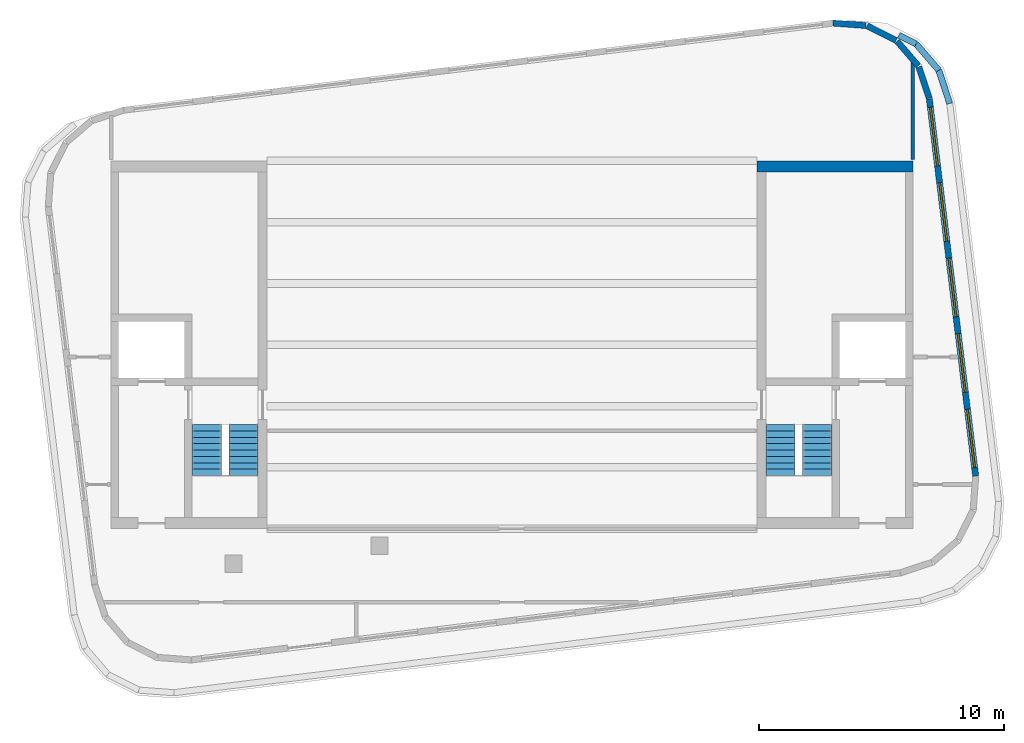
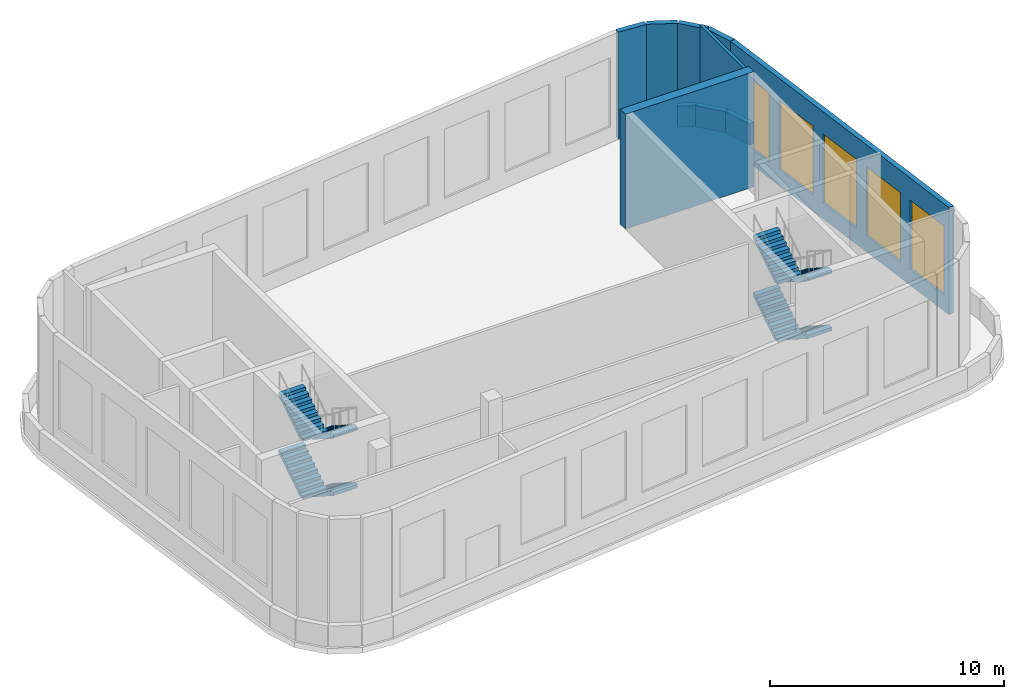
# One storey, part 4 of 5: 10 walls, 8 stair flights, 5 windows, 5 openings, 2 elements without a shape of their own.
"""IFC4 building model written with IfcOpenShell, lengths in metres."""

from ifc_helpers import new_model, si_unit, direction, frame, frame_2d, origin, place, context, subcontext, project, spatial, polyline, rectangle, outline, extrude, material, layer, layer_set, type_object, element, fill, aggregate, save


model = new_model("IFC4")

# Units and contexts
model_context = context("Model", 3, precision=1e-05, world=origin(), true_north=direction((0.0, 1.0)))
body_context = subcontext(model_context, "Body", "Model", "MODEL_VIEW")
ifc_project = project(units=[si_unit("LENGTHUNIT", "METRE"), si_unit("AREAUNIT", "SQUARE_METRE"), si_unit("VOLUMEUNIT", "CUBIC_METRE"), si_unit("PLANEANGLEUNIT", "RADIAN"), si_unit("MASSUNIT", "GRAM", prefix="KILO")], contexts=[model_context])

# Site, building, storey
site_placement = place(None, origin())
site = spatial("IfcSite", under=ifc_project, at=site_placement, CompositionType="ELEMENT")
building_placement = place(site_placement, origin())
building = spatial("IfcBuilding", under=site, at=building_placement, Name="Torana Hotel and Residences", CompositionType="ELEMENT")
storey_placement = place(building_placement, frame((0.0, 0.0, 357.39990234375)))
storey = spatial("IfcBuildingStorey", under=building, at=storey_placement, Name="C4", CompositionType="ELEMENT", Elevation=357.39990234375)

# Walls
ifc_material_1 = material(Name="Concrete C50/60", Category="concrete")
ifc_layer_1 = layer(ifc_material_1, 0.449951171875)
ifc_layer_set_1 = layer_set([ifc_layer_1], Name="CORE WALL 450 C50/60")
wall_type_1 = type_object("IfcWallType", Name="CORE WALL 450 C50/60", PredefinedType="SHEAR", material=ifc_layer_set_1)
wall_1_placement = place(storey_placement, frame((10.0, -0.22509765625, 0.0), z_axis=(0.0, 0.0, 1.0), x_axis=(1.0, 0.0, 0.0)))
element("IfcWall", 1, at=wall_1_placement, inside=storey, type_object=wall_type_1, Name="Core wall E rear", PredefinedType="SHEAR", context=body_context, shape_type="SweptSolid", body=[
    extrude(rectangle(XDim=6.35009765625, YDim=0.449951171875, at=frame_2d((3.175048828125, 0.0))), origin(), (0.0, 0.0, 1.0), 6.0),
])
ifc_material_2 = material(Name="Aluminium louvre wall", Category="aluminium")
ifc_layer_2 = layer(ifc_material_2, 0.25)
ifc_layer_set_2 = layer_set([ifc_layer_2], Name="EW3 LOUVRE WALL 250")
wall_type_2 = type_object("IfcWallType", Name="EW3 LOUVRE WALL 250", PredefinedType="SOLIDWALL", material=ifc_layer_set_2)
wall_2_placement = place(storey_placement, frame((17.01513671875, 2.558349609375, 0.0), z_axis=(0.0, 0.0, 1.0), x_axis=(-0.313183064829, 0.949692775535, 0.0)))
element("IfcWall", 2, at=wall_2_placement, inside=storey, type_object=wall_type_2, Name="Louvre wall C4 e0.0", PredefinedType="SOLIDWALL", context=body_context, shape_type="SweptSolid", body=[
    extrude(rectangle(XDim=1.347900390625, YDim=0.25, at=frame_2d((0.673828125, 0.0))), origin(), (0.0, 0.0, 1.0), 5.590087890625),
])
wall_3_placement = place(storey_placement, frame((16.56884765625, 3.880859375, 0.0), z_axis=(0.0, 0.0, 1.0), x_axis=(-0.652735106061, 0.757586220384, 0.0)))
element("IfcWall", 3, at=wall_3_placement, inside=storey, type_object=wall_type_2, Name="Louvre wall C4 e0.1", PredefinedType="SOLIDWALL", context=body_context, shape_type="SweptSolid", body=[
    extrude(rectangle(XDim=1.322509765625, YDim=0.25, at=frame_2d((0.6611328125, 0.0))), origin(), (0.0, 0.0, 1.0), 5.590087890625),
])
wall_4_placement = place(storey_placement, frame((15.6669921875, 4.9130859375, 0.0), z_axis=(0.0, 0.0, 1.0), x_axis=(-0.893019948066, 0.450017080071, 0.0)))
element("IfcWall", 4, at=wall_4_placement, inside=storey, type_object=wall_type_2, Name="Louvre wall C4 e0.2", PredefinedType="SOLIDWALL", context=body_context, shape_type="SweptSolid", body=[
    extrude(rectangle(XDim=1.32275390625, YDim=0.25, at=frame_2d((0.661376953125, 0.0))), origin(), (0.0, 0.0, 1.0), 5.590087890625),
])
wall_5_placement = place(storey_placement, frame((14.43896484375, 5.521240234375, 0.0), z_axis=(0.0, 0.0, 1.0), x_axis=(-0.997252413087, 0.074078502897, 0.0)))
element("IfcWall", 5, at=wall_5_placement, inside=storey, type_object=wall_type_2, Name="Louvre wall C4 e0.3", PredefinedType="SOLIDWALL", context=body_context, shape_type="SweptSolid", body=[
    extrude(rectangle(XDim=1.347900390625, YDim=0.25, at=frame_2d((0.673828125, 0.0))), origin(), (0.0, 0.0, 1.0), 5.590087890625),
])

# Wall, openings, windows
wall_6_placement = place(storey_placement, frame((18.90966796875, -12.852783203125, 0.0), z_axis=(0.0, 0.0, 1.0), x_axis=(-0.121859728622, 0.992547332141, 0.0)))
wall_6 = element("IfcWall", 6, at=wall_6_placement, inside=storey, type_object=wall_type_2, Name="Louvre wall C4 e0.19", PredefinedType="SOLIDWALL", context=body_context, shape_type="SweptSolid", body=[
    extrude(rectangle(XDim=15.502685546875, YDim=0.25, at=frame_2d((7.75146484375, 0.0))), origin(), (0.0, 0.0, 1.0), 5.590087890625),
])
opening_1_placement = place(wall_6_placement, frame((0.350341796875, 0.0, 0.83837890625)))
opening_1 = element("IfcOpeningElement", 7, at=opening_1_placement, cuts=wall_6, Name="Opening LV2", PredefinedType="OPENING", context=body_context, shape_type="SweptSolid", body=[
    extrude(rectangle(XDim=2.39990234375, YDim=3.60009765625, at=frame_2d((1.199951171875, 1.800048828125))), frame((0.0, 0.135009765625, 0.0), z_axis=(0.0, -1.0, 0.0), x_axis=(1.0, 0.0, 0.0)), (0.0, 0.0, 1.0), 0.27001953125),
])
opening_2_placement = place(wall_6_placement, frame((3.45068359375, 0.0, 0.83837890625)))
opening_2 = element("IfcOpeningElement", 8, at=opening_2_placement, cuts=wall_6, Name="Opening LV2", PredefinedType="OPENING", context=body_context, shape_type="SweptSolid", body=[
    extrude(rectangle(XDim=2.39990234375, YDim=3.60009765625, at=frame_2d((1.199951171875, 1.800048828125))), frame((0.0, 0.135009765625, 0.0), z_axis=(0.0, -1.0, 0.0), x_axis=(1.0, 0.0, 0.0)), (0.0, 0.0, 1.0), 0.27001953125),
])
opening_3_placement = place(wall_6_placement, frame((6.551513671875, 0.0, 0.83837890625)))
opening_3 = element("IfcOpeningElement", 9, at=opening_3_placement, cuts=wall_6, Name="Opening LV2", PredefinedType="OPENING", context=body_context, shape_type="SweptSolid", body=[
    extrude(rectangle(XDim=2.39990234375, YDim=3.60009765625, at=frame_2d((1.199951171875, 1.800048828125))), frame((0.0, 0.135009765625, 0.0), z_axis=(0.0, -1.0, 0.0), x_axis=(1.0, 0.0, 0.0)), (0.0, 0.0, 1.0), 0.27001953125),
])
opening_4_placement = place(wall_6_placement, frame((9.65185546875, 0.0, 0.83837890625)))
opening_4 = element("IfcOpeningElement", 10, at=opening_4_placement, cuts=wall_6, Name="Opening LV2", PredefinedType="OPENING", context=body_context, shape_type="SweptSolid", body=[
    extrude(rectangle(XDim=2.39990234375, YDim=3.60009765625, at=frame_2d((1.199951171875, 1.800048828125))), frame((0.0, 0.135009765625, 0.0), z_axis=(0.0, -1.0, 0.0), x_axis=(1.0, 0.0, 0.0)), (0.0, 0.0, 1.0), 0.27001953125),
])
opening_5_placement = place(wall_6_placement, frame((12.75244140625, 0.0, 0.83837890625)))
opening_5 = element("IfcOpeningElement", 11, at=opening_5_placement, cuts=wall_6, Name="Opening LV2", PredefinedType="OPENING", context=body_context, shape_type="SweptSolid", body=[
    extrude(rectangle(XDim=2.39990234375, YDim=3.60009765625, at=frame_2d((1.199951171875, 1.800048828125))), frame((0.0, 0.135009765625, 0.0), z_axis=(0.0, -1.0, 0.0), x_axis=(1.0, 0.0, 0.0)), (0.0, 0.0, 1.0), 0.27001953125),
])
ifc_material_3 = material(Name="Aluminium louvre blades", Category="aluminium")
window_type = type_object("IfcWindowType", Name="LV2 LOUVRE 2400x3600", PartitioningType="SINGLE_PANEL", PredefinedType="USERDEFINED", material=ifc_material_3)
window_1_placement = place(opening_1_placement, origin())
window_1 = element("IfcWindow", 12, at=window_1_placement, inside=storey, type_object=window_type, Name="Louvre C4", ObjectType="LOUVRE", OverallHeight=3.60009765625, OverallWidth=2.39990234375, PartitioningType="SINGLE_PANEL", PredefinedType="USERDEFINED", context=body_context, shape_type="SweptSolid", body=[
    extrude(rectangle(XDim=2.39990234375, YDim=3.60009765625, at=frame_2d((1.199951171875, 1.800048828125))), frame((0.0, 0.030029296875, 0.0), z_axis=(0.0, -1.0, 0.0), x_axis=(1.0, 0.0, 0.0)), (0.0, 0.0, 1.0), 0.06005859375),
])
fill(opening_1, window_1)
window_2_placement = place(opening_2_placement, origin())
window_2 = element("IfcWindow", 13, at=window_2_placement, inside=storey, type_object=window_type, Name="Louvre C4", ObjectType="LOUVRE", OverallHeight=3.60009765625, OverallWidth=2.39990234375, PartitioningType="SINGLE_PANEL", PredefinedType="USERDEFINED", context=body_context, shape_type="SweptSolid", body=[
    extrude(rectangle(XDim=2.39990234375, YDim=3.60009765625, at=frame_2d((1.199951171875, 1.800048828125))), frame((0.0, 0.030029296875, 0.0), z_axis=(0.0, -1.0, 0.0), x_axis=(1.0, 0.0, 0.0)), (0.0, 0.0, 1.0), 0.06005859375),
])
fill(opening_2, window_2)
window_3_placement = place(opening_3_placement, origin())
window_3 = element("IfcWindow", 14, at=window_3_placement, inside=storey, type_object=window_type, Name="Louvre C4", ObjectType="LOUVRE", OverallHeight=3.60009765625, OverallWidth=2.39990234375, PartitioningType="SINGLE_PANEL", PredefinedType="USERDEFINED", context=body_context, shape_type="SweptSolid", body=[
    extrude(rectangle(XDim=2.39990234375, YDim=3.60009765625, at=frame_2d((1.199951171875, 1.800048828125))), frame((0.0, 0.030029296875, 0.0), z_axis=(0.0, -1.0, 0.0), x_axis=(1.0, 0.0, 0.0)), (0.0, 0.0, 1.0), 0.06005859375),
])
fill(opening_3, window_3)
window_4_placement = place(opening_4_placement, origin())
window_4 = element("IfcWindow", 15, at=window_4_placement, inside=storey, type_object=window_type, Name="Louvre C4", ObjectType="LOUVRE", OverallHeight=3.60009765625, OverallWidth=2.39990234375, PartitioningType="SINGLE_PANEL", PredefinedType="USERDEFINED", context=body_context, shape_type="SweptSolid", body=[
    extrude(rectangle(XDim=2.39990234375, YDim=3.60009765625, at=frame_2d((1.199951171875, 1.800048828125))), frame((0.0, 0.030029296875, 0.0), z_axis=(0.0, -1.0, 0.0), x_axis=(1.0, 0.0, 0.0)), (0.0, 0.0, 1.0), 0.06005859375),
])
fill(opening_4, window_4)
window_5_placement = place(opening_5_placement, origin())
window_5 = element("IfcWindow", 16, at=window_5_placement, inside=storey, type_object=window_type, Name="Louvre C4", ObjectType="LOUVRE", OverallHeight=3.60009765625, OverallWidth=2.39990234375, PartitioningType="SINGLE_PANEL", PredefinedType="USERDEFINED", context=body_context, shape_type="SweptSolid", body=[
    extrude(rectangle(XDim=2.39990234375, YDim=3.60009765625, at=frame_2d((1.199951171875, 1.800048828125))), frame((0.0, 0.030029296875, 0.0), z_axis=(0.0, -1.0, 0.0), x_axis=(1.0, 0.0, 0.0)), (0.0, 0.0, 1.0), 0.06005859375),
])
fill(opening_5, window_5)

# Walls
ifc_material_4 = material(Name="Gypsum plasterboard")
ifc_layer_3 = layer(ifc_material_4, 0.012451171875, Name="Plasterboard", Category="finish")
ifc_layer_4 = layer(ifc_material_4, 0.012451171875, Name="Plasterboard", Category="finish")
ifc_material_5 = material(Name="Steel S280GD", Category="steel")
ifc_layer_5 = layer(ifc_material_5, 0.10009765625, Name="Steel studs with mineral wool", Category="insulation")
ifc_layer_6 = layer(ifc_material_4, 0.012451171875, Name="Plasterboard", Category="finish")
ifc_layer_7 = layer(ifc_material_4, 0.012451171875, Name="Plasterboard", Category="finish")
ifc_layer_set_3 = layer_set([ifc_layer_3, ifc_layer_4, ifc_layer_5, ifc_layer_6, ifc_layer_7], Name="PARTITION 150 PLASTERBOARD")
wall_type_3 = type_object("IfcWallType", Name="PARTITION 150 PLASTERBOARD", PredefinedType="PARTITIONING", material=ifc_layer_set_3)
wall_7_placement = place(storey_placement, frame((16.35009765625, 0.050048828125, 0.0), z_axis=(0.0, 0.0, 1.0), x_axis=(0.0, 1.0, 0.0)))
element("IfcWall", 17, at=wall_7_placement, inside=storey, type_object=wall_type_3, Name="Partition C4", PredefinedType="PARTITIONING", context=body_context, shape_type="SweptSolid", body=[
    extrude(rectangle(XDim=4.000732421875, YDim=0.14990234375, at=frame_2d((2.00048828125, 0.0))), origin(), (0.0, 0.0, 1.0), 5.72021484375),
])
ifc_material_6 = material(Name="Aluminium coping with drip", Category="aluminium")
ifc_layer_8 = layer(ifc_material_6, 0.0029296875, Name="Coping flashing", Category="flashing")
ifc_material_7 = material(Name="Concrete C40/50 precast", Category="concrete")
ifc_layer_9 = layer(ifc_material_7, 0.00390625, Name="Cladding", Category="cladding")
ifc_material_8 = material(Name="Concrete C40/50", Category="concrete")
ifc_layer_10 = layer(ifc_material_8, 0.199951171875, Name="Wall", Category="structure")
ifc_material_9 = material(Name="Mineral wool insulation")
ifc_layer_11 = layer(ifc_material_9, 0.0400390625, Name="Insulation", Category="insulation")
ifc_material_10 = material(Name="Waterproofing upstand")
ifc_layer_12 = layer(ifc_material_10, 0.0029296875, Name="Upstand membrane", Category="membrane")
ifc_layer_set_4 = layer_set([ifc_layer_8, ifc_layer_9, ifc_layer_10, ifc_layer_11, ifc_layer_12], Name="PP1 PARAPET 250")
wall_type_4 = type_object("IfcWallType", Name="PP1 PARAPET 250", PredefinedType="PARAPET", material=ifc_layer_set_4)
wall_8_placement = place(storey_placement, frame((15.775390625, 5.1279296875, 0.0), z_axis=(0.0, 0.0, 1.0), x_axis=(0.893004738019, -0.450047261825, 0.0)))
element("IfcWall", 18, at=wall_8_placement, inside=storey, type_object=wall_type_4, Name="Roof parapet C4 1", PredefinedType="PARAPET", context=body_context, shape_type="SweptSolid", body=[
    extrude(rectangle(XDim=0.7919921875, YDim=0.25, at=frame_2d((0.39599609375, 0.0))), origin(), (0.0, 0.0, 1.0), 1.10009765625),
])
wall_9_placement = place(storey_placement, frame((16.482666015625, 4.771484375, 0.0), z_axis=(0.0, 0.0, 1.0), x_axis=(0.652669320099, -0.75764289649, 0.0)))
element("IfcWall", 19, at=wall_9_placement, inside=storey, type_object=wall_type_4, Name="Roof parapet C4 2", PredefinedType="PARAPET", context=body_context, shape_type="SweptSolid", body=[
    extrude(rectangle(XDim=1.41162109375, YDim=0.25, at=frame_2d((0.705810546875, 0.0))), origin(), (0.0, 0.0, 1.0), 1.10009765625),
])
wall_10_placement = place(storey_placement, frame((17.404052734375, 3.701904296875, 0.0), z_axis=(0.0, 0.0, 1.0), x_axis=(0.313211571938, -0.949683374185, 0.0)))
element("IfcWall", 20, at=wall_10_placement, inside=storey, type_object=wall_type_4, Name="Roof parapet C4 3", PredefinedType="PARAPET", context=body_context, shape_type="SweptSolid", body=[
    extrude(rectangle(XDim=1.433349609375, YDim=0.25, at=frame_2d((0.716796875, 0.0))), origin(), (0.0, 0.0, 1.0), 1.10009765625),
])

# Stair, stair flights
ifc_material_11 = material(Name="Concrete C40/50 precast", Category="concrete")
stair_type_1 = type_object("IfcStairType", Name="STAIR ST1 HALF TURN 1200", PredefinedType="HALF_TURN_STAIR", material=ifc_material_11)
stair_1_placement = place(storey_placement, origin())
stair_1 = element("IfcStair", 21, at=stair_1_placement, inside=storey, type_object=stair_type_1, Name="Stair ST1 C4", PredefinedType="HALF_TURN_STAIR")
ifc_material_12 = material(Name="Concrete C40/50 precast", Category="concrete")
stair_flight_type = type_object("IfcStairFlightType", Name="STAIR FLIGHT 1200 PRECAST", PredefinedType="STRAIGHT", material=ifc_material_12)
stair_flight_1_placement = place(storey_placement, frame((-10.949951171875, -10.75, 0.0), z_axis=(0.0, 0.0, 1.0), x_axis=(0.0, -1.0, 0.0)))
stair_flight_1 = element("IfcStairFlight", 22, at=stair_flight_1_placement, type_object=stair_flight_type, Name="ST1 flight 1", NumberOfRisers=9, NumberOfTreads=8, PredefinedType="STRAIGHT", RiserHeight=0.166666667, TreadLength=0.26, context=body_context, shape_type="SweptSolid", body=[
    extrude(outline(polyline([(0.0, 0.0), (0.0, 0.166748046875), (0.260009765625, 0.166748046875), (0.260009765625, 0.333251953125), (0.52001953125, 0.333251953125), (0.52001953125, 0.5), (0.780029296875, 0.5), (0.780029296875, 0.666748046875), (1.0400390625, 0.666748046875), (1.0400390625, 0.833251953125), (1.300048828125, 0.833251953125), (1.300048828125, 1.0), (1.56005859375, 1.0), (1.56005859375, 1.166748046875), (1.820068359375, 1.166748046875), (1.820068359375, 1.333251953125), (2.080078125, 1.333251953125), (2.080078125, 1.5), (2.080078125, 1.1552734375), (0.27783203125, 0.0), (0.0, 0.0)])), frame((0.0, 0.60009765625, 0.0), z_axis=(0.0, -1.0, 0.0), x_axis=(1.0, 0.0, 0.0)), (0.0, 0.0, 1.0), 1.199951171875),
])
stair_flight_2_placement = place(storey_placement, frame((-12.449951171875, -12.830078125, 1.5), z_axis=(0.0, 0.0, 1.0), x_axis=(0.0, 1.0, 0.0)))
stair_flight_2 = element("IfcStairFlight", 23, at=stair_flight_2_placement, type_object=stair_flight_type, Name="ST1 flight 2", NumberOfRisers=9, NumberOfTreads=8, PredefinedType="STRAIGHT", RiserHeight=0.166666667, TreadLength=0.26, context=body_context, shape_type="SweptSolid", body=[
    extrude(outline(polyline([(0.0, 0.0), (0.0, 0.166748046875), (0.260009765625, 0.166748046875), (0.260009765625, 0.333251953125), (0.52001953125, 0.333251953125), (0.52001953125, 0.5), (0.780029296875, 0.5), (0.780029296875, 0.666748046875), (1.0400390625, 0.666748046875), (1.0400390625, 0.833251953125), (1.300048828125, 0.833251953125), (1.300048828125, 1.0), (1.56005859375, 1.0), (1.56005859375, 1.166748046875), (1.820068359375, 1.166748046875), (1.820068359375, 1.333251953125), (2.080078125, 1.333251953125), (2.080078125, 1.5), (2.080078125, 1.1552734375), (0.27783203125, 0.0), (0.0, 0.0)])), frame((0.0, 0.60009765625, 0.0), z_axis=(0.0, -1.0, 0.0), x_axis=(1.0, 0.0, 0.0)), (0.0, 0.0, 1.0), 1.199951171875),
])
stair_flight_3_placement = place(storey_placement, frame((-10.949951171875, -10.75, 3.0), z_axis=(0.0, 0.0, 1.0), x_axis=(0.0, -1.0, 0.0)))
stair_flight_3 = element("IfcStairFlight", 24, at=stair_flight_3_placement, type_object=stair_flight_type, Name="ST1 flight 3", NumberOfRisers=9, NumberOfTreads=8, PredefinedType="STRAIGHT", RiserHeight=0.166666667, TreadLength=0.26, context=body_context, shape_type="SweptSolid", body=[
    extrude(outline(polyline([(0.0, 0.0), (0.0, 0.166748046875), (0.260009765625, 0.166748046875), (0.260009765625, 0.333251953125), (0.52001953125, 0.333251953125), (0.52001953125, 0.5), (0.780029296875, 0.5), (0.780029296875, 0.666748046875), (1.0400390625, 0.666748046875), (1.0400390625, 0.833251953125), (1.300048828125, 0.833251953125), (1.300048828125, 1.0), (1.56005859375, 1.0), (1.56005859375, 1.166748046875), (1.820068359375, 1.166748046875), (1.820068359375, 1.333251953125), (2.080078125, 1.333251953125), (2.080078125, 1.5), (2.080078125, 1.1552734375), (0.27783203125, 0.0), (0.0, 0.0)])), frame((0.0, 0.60009765625, 0.0), z_axis=(0.0, -1.0, 0.0), x_axis=(1.0, 0.0, 0.0)), (0.0, 0.0, 1.0), 1.199951171875),
])
stair_flight_4_placement = place(storey_placement, frame((-12.449951171875, -12.830078125, 4.5), z_axis=(0.0, 0.0, 1.0), x_axis=(0.0, 1.0, 0.0)))
stair_flight_4 = element("IfcStairFlight", 25, at=stair_flight_4_placement, type_object=stair_flight_type, Name="ST1 flight 4", NumberOfRisers=9, NumberOfTreads=8, PredefinedType="STRAIGHT", RiserHeight=0.166666667, TreadLength=0.26, context=body_context, shape_type="SweptSolid", body=[
    extrude(outline(polyline([(0.0, 0.0), (0.0, 0.166748046875), (0.260009765625, 0.166748046875), (0.260009765625, 0.333251953125), (0.52001953125, 0.333251953125), (0.52001953125, 0.5), (0.780029296875, 0.5), (0.780029296875, 0.666748046875), (1.0400390625, 0.666748046875), (1.0400390625, 0.833251953125), (1.300048828125, 0.833251953125), (1.300048828125, 1.0), (1.56005859375, 1.0), (1.56005859375, 1.166748046875), (1.820068359375, 1.166748046875), (1.820068359375, 1.333251953125), (2.080078125, 1.333251953125), (2.080078125, 1.5), (2.080078125, 1.1552734375), (0.27783203125, 0.0), (0.0, 0.0)])), frame((0.0, 0.60009765625, 0.0), z_axis=(0.0, -1.0, 0.0), x_axis=(1.0, 0.0, 0.0)), (0.0, 0.0, 1.0), 1.199951171875),
])
aggregate(stair_1, [stair_flight_1, stair_flight_2, stair_flight_3, stair_flight_4])

ifc_material_13 = material(Name="Concrete C40/50 precast", Category="concrete")
stair_type_2 = type_object("IfcStairType", Name="STAIR ST3 HALF TURN 1200", PredefinedType="HALF_TURN_STAIR", material=ifc_material_13)
stair_2_placement = place(storey_placement, origin())
stair_2 = element("IfcStair", 26, at=stair_2_placement, inside=storey, type_object=stair_type_2, Name="Stair ST3 C4", PredefinedType="HALF_TURN_STAIR")
stair_flight_5_placement = place(storey_placement, frame((12.449951171875, -10.75, 0.0), z_axis=(0.0, 0.0, 1.0), x_axis=(0.0, -1.0, 0.0)))
stair_flight_5 = element("IfcStairFlight", 27, at=stair_flight_5_placement, type_object=stair_flight_type, Name="ST3 flight 1", NumberOfRisers=9, NumberOfTreads=8, PredefinedType="STRAIGHT", RiserHeight=0.166666667, TreadLength=0.26, context=body_context, shape_type="SweptSolid", body=[
    extrude(outline(polyline([(0.0, 0.0), (0.0, 0.166748046875), (0.260009765625, 0.166748046875), (0.260009765625, 0.333251953125), (0.52001953125, 0.333251953125), (0.52001953125, 0.5), (0.780029296875, 0.5), (0.780029296875, 0.666748046875), (1.0400390625, 0.666748046875), (1.0400390625, 0.833251953125), (1.300048828125, 0.833251953125), (1.300048828125, 1.0), (1.56005859375, 1.0), (1.56005859375, 1.166748046875), (1.820068359375, 1.166748046875), (1.820068359375, 1.333251953125), (2.080078125, 1.333251953125), (2.080078125, 1.5), (2.080078125, 1.1552734375), (0.27783203125, 0.0), (0.0, 0.0)])), frame((0.0, 0.60009765625, 0.0), z_axis=(0.0, -1.0, 0.0), x_axis=(1.0, 0.0, 0.0)), (0.0, 0.0, 1.0), 1.199951171875),
])
stair_flight_6_placement = place(storey_placement, frame((10.949951171875, -12.830078125, 1.5), z_axis=(0.0, 0.0, 1.0), x_axis=(0.0, 1.0, 0.0)))
stair_flight_6 = element("IfcStairFlight", 28, at=stair_flight_6_placement, type_object=stair_flight_type, Name="ST3 flight 2", NumberOfRisers=9, NumberOfTreads=8, PredefinedType="STRAIGHT", RiserHeight=0.166666667, TreadLength=0.26, context=body_context, shape_type="SweptSolid", body=[
    extrude(outline(polyline([(0.0, 0.0), (0.0, 0.166748046875), (0.260009765625, 0.166748046875), (0.260009765625, 0.333251953125), (0.52001953125, 0.333251953125), (0.52001953125, 0.5), (0.780029296875, 0.5), (0.780029296875, 0.666748046875), (1.0400390625, 0.666748046875), (1.0400390625, 0.833251953125), (1.300048828125, 0.833251953125), (1.300048828125, 1.0), (1.56005859375, 1.0), (1.56005859375, 1.166748046875), (1.820068359375, 1.166748046875), (1.820068359375, 1.333251953125), (2.080078125, 1.333251953125), (2.080078125, 1.5), (2.080078125, 1.1552734375), (0.27783203125, 0.0), (0.0, 0.0)])), frame((0.0, 0.60009765625, 0.0), z_axis=(0.0, -1.0, 0.0), x_axis=(1.0, 0.0, 0.0)), (0.0, 0.0, 1.0), 1.199951171875),
])
stair_flight_7_placement = place(storey_placement, frame((12.449951171875, -10.75, 3.0), z_axis=(0.0, 0.0, 1.0), x_axis=(0.0, -1.0, 0.0)))
stair_flight_7 = element("IfcStairFlight", 29, at=stair_flight_7_placement, type_object=stair_flight_type, Name="ST3 flight 3", NumberOfRisers=9, NumberOfTreads=8, PredefinedType="STRAIGHT", RiserHeight=0.166666667, TreadLength=0.26, context=body_context, shape_type="SweptSolid", body=[
    extrude(outline(polyline([(0.0, 0.0), (0.0, 0.166748046875), (0.260009765625, 0.166748046875), (0.260009765625, 0.333251953125), (0.52001953125, 0.333251953125), (0.52001953125, 0.5), (0.780029296875, 0.5), (0.780029296875, 0.666748046875), (1.0400390625, 0.666748046875), (1.0400390625, 0.833251953125), (1.300048828125, 0.833251953125), (1.300048828125, 1.0), (1.56005859375, 1.0), (1.56005859375, 1.166748046875), (1.820068359375, 1.166748046875), (1.820068359375, 1.333251953125), (2.080078125, 1.333251953125), (2.080078125, 1.5), (2.080078125, 1.1552734375), (0.27783203125, 0.0), (0.0, 0.0)])), frame((0.0, 0.60009765625, 0.0), z_axis=(0.0, -1.0, 0.0), x_axis=(1.0, 0.0, 0.0)), (0.0, 0.0, 1.0), 1.199951171875),
])
stair_flight_8_placement = place(storey_placement, frame((10.949951171875, -12.830078125, 4.5), z_axis=(0.0, 0.0, 1.0), x_axis=(0.0, 1.0, 0.0)))
stair_flight_8 = element("IfcStairFlight", 30, at=stair_flight_8_placement, type_object=stair_flight_type, Name="ST3 flight 4", NumberOfRisers=9, NumberOfTreads=8, PredefinedType="STRAIGHT", RiserHeight=0.166666667, TreadLength=0.26, context=body_context, shape_type="SweptSolid", body=[
    extrude(outline(polyline([(0.0, 0.0), (0.0, 0.166748046875), (0.260009765625, 0.166748046875), (0.260009765625, 0.333251953125), (0.52001953125, 0.333251953125), (0.52001953125, 0.5), (0.780029296875, 0.5), (0.780029296875, 0.666748046875), (1.0400390625, 0.666748046875), (1.0400390625, 0.833251953125), (1.300048828125, 0.833251953125), (1.300048828125, 1.0), (1.56005859375, 1.0), (1.56005859375, 1.166748046875), (1.820068359375, 1.166748046875), (1.820068359375, 1.333251953125), (2.080078125, 1.333251953125), (2.080078125, 1.5), (2.080078125, 1.1552734375), (0.27783203125, 0.0), (0.0, 0.0)])), frame((0.0, 0.60009765625, 0.0), z_axis=(0.0, -1.0, 0.0), x_axis=(1.0, 0.0, 0.0)), (0.0, 0.0, 1.0), 1.199951171875),
])
aggregate(stair_2, [stair_flight_5, stair_flight_6, stair_flight_7, stair_flight_8])

save(model, "model.ifc")
